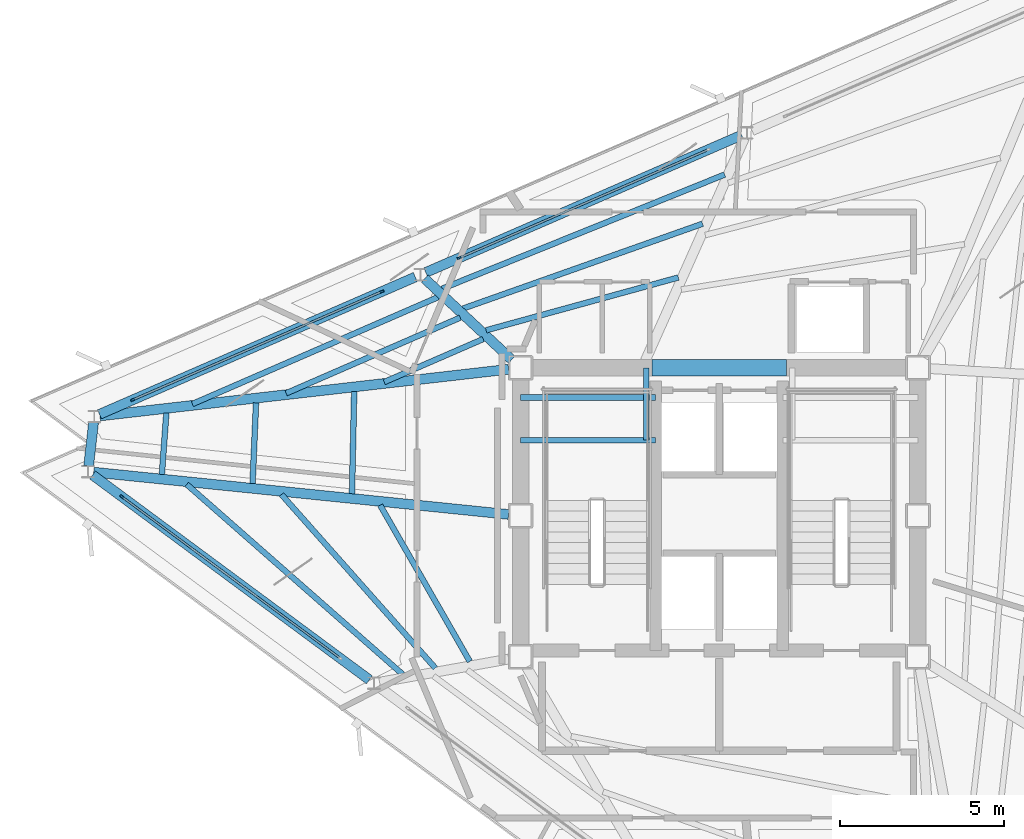
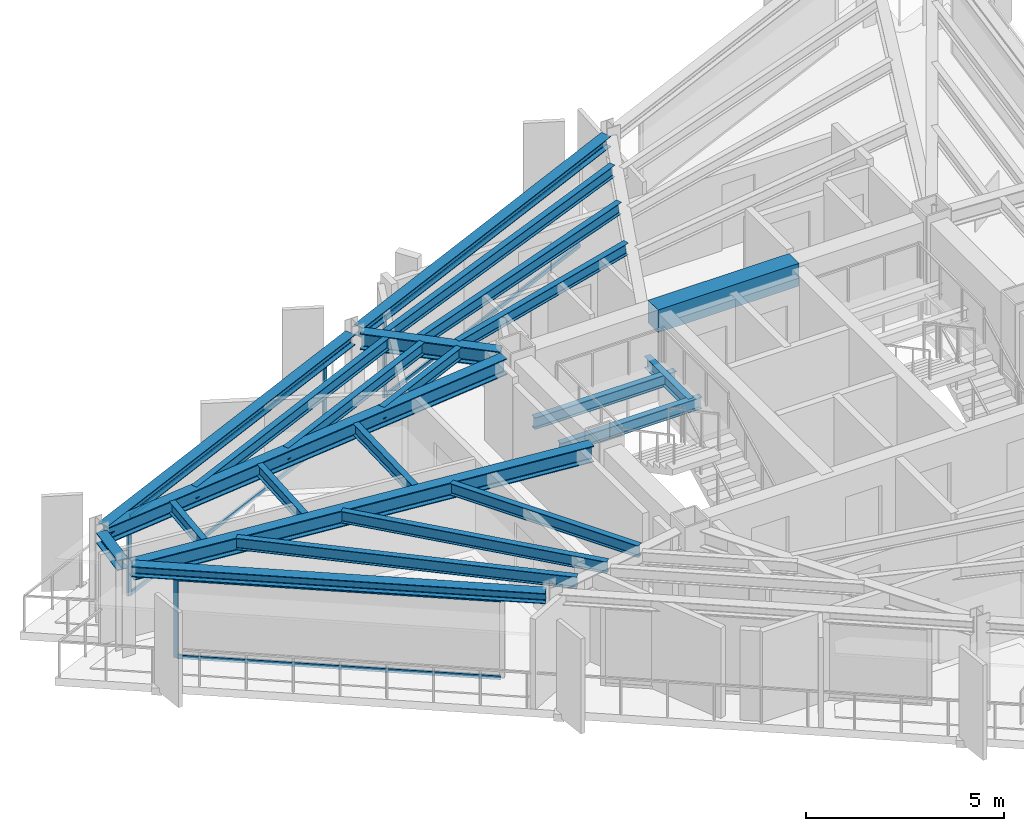
# One storey, part 3 of 10: 23 beams, 10 members, 3 elements without a shape of their own.
"""IFC4 building model written with IfcOpenShell, lengths in metres."""

from ifc_helpers import new_model, si_unit, direction, frame, origin, origin_2d, place, context, subcontext, project, spatial, rectangle, i_section, extrude, material, layer, layer_set, material_profile, profile_set, type_object, element, aggregate, save


model = new_model("IFC4")

# Units and contexts
model_context = context("Model", 3, precision=1e-05, world=origin(), true_north=direction((0.0, 1.0)))
body_context = subcontext(model_context, "Body", "Model", "MODEL_VIEW")
ifc_project = project(units=[si_unit("LENGTHUNIT", "METRE"), si_unit("AREAUNIT", "SQUARE_METRE"), si_unit("VOLUMEUNIT", "CUBIC_METRE"), si_unit("PLANEANGLEUNIT", "RADIAN"), si_unit("MASSUNIT", "GRAM", prefix="KILO")], contexts=[model_context])

# Site, building, storey
site_placement = place(None, origin())
site = spatial("IfcSite", under=ifc_project, at=site_placement, CompositionType="ELEMENT")
building_placement = place(site_placement, origin())
building = spatial("IfcBuilding", under=site, at=building_placement, Name="Rocaltana Carrier Exchange", CompositionType="ELEMENT")
storey_placement = place(building_placement, frame((0.0, 0.0, 227.0400390625)))
storey = spatial("IfcBuildingStorey", under=building, at=storey_placement, Name="L72", CompositionType="ELEMENT", Elevation=227.0400390625)

# Curtain wall, member
ifc_material_1 = material(Name="Aluminium 6063-T6", Category="aluminium")
ifc_layer = layer(ifc_material_1, 0.1201171875)
ifc_layer_set = layer_set([ifc_layer], Name="Aluminium 6063-T6")
curtain_wall_type = type_object("IfcCurtainWallType", Name="High-Altitude Thermal Curtain Wall CW-05", PredefinedType="NOTDEFINED", material=ifc_layer_set)
curtain_wall_1_placement = place(storey_placement, origin())
curtain_wall_1 = element("IfcCurtainWall", 1, at=curtain_wall_1_placement, inside=storey, type_object=curtain_wall_type, Name="L72 CW-05 Run CW-L72-F2S2", PredefinedType="NOTDEFINED")
ifc_material_2 = material(Name="Aluminium 6063-T6", Category="aluminium")
ifc_material_profile_1 = material_profile(ifc_material_2, rectangle(XDim=0.06005859375, YDim=0.1201171875, at=origin_2d()), Name="AL-60X120")
ifc_profile_set_1 = profile_set([ifc_material_profile_1], Name="Aluminium 6063-T6")
member_type_1 = type_object("IfcMemberType", Name="CW-05 Mullion AL-60X120", PredefinedType="MULLION", material=ifc_profile_set_1)
member_1_placement = place(storey_placement, frame((-7.922607421875, 7.846435546875, 0.0), z_axis=(0.0, 0.0, 1.0), x_axis=(0.398752438254, -0.917058609352, 0.0)))
member_1 = element("IfcMember", 2, at=member_1_placement, type_object=member_type_1, Name="CW-05 mullion 2", PredefinedType="MULLION", context=body_context, shape_type="SweptSolid", body=[
    extrude(rectangle(XDim=0.06005859375, YDim=0.1201171875, at=origin_2d()), origin(), (0.0, 0.0, 1.0), 2.447998046875),
])

# Curtain wall, members
curtain_wall_2_placement = place(storey_placement, origin())
curtain_wall_2 = element("IfcCurtainWall", 3, at=curtain_wall_2_placement, inside=storey, type_object=curtain_wall_type, Name="L72 CW-05 Run CW-L72-F2S3", PredefinedType="NOTDEFINED")
member_2_placement = place(storey_placement, frame((-10.270263671875, 6.82568359375, 0.0), z_axis=(0.0, 0.0, 1.0), x_axis=(0.39875682637, -0.917056701313, 0.0)))
member_2 = element("IfcMember", 4, at=member_2_placement, type_object=member_type_1, Name="CW-05 mullion 1", PredefinedType="MULLION", context=body_context, shape_type="SweptSolid", body=[
    extrude(rectangle(XDim=0.06005859375, YDim=0.1201171875, at=origin_2d()), origin(), (0.0, 0.0, 1.0), 2.447998046875),
])
member_3_placement = place(storey_placement, frame((-17.857421875, 3.526611328125, 0.0), z_axis=(0.0, 0.0, 1.0), x_axis=(0.39875682637, -0.917056701313, 0.0)))
member_3 = element("IfcMember", 5, at=member_3_placement, type_object=member_type_1, Name="CW-05 mullion 2", PredefinedType="MULLION", context=body_context, shape_type="SweptSolid", body=[
    extrude(rectangle(XDim=0.06005859375, YDim=0.1201171875, at=origin_2d()), origin(), (0.0, 0.0, 1.0), 2.447998046875),
])

# Curtain wall, member
curtain_wall_3_placement = place(storey_placement, origin())
curtain_wall_3 = element("IfcCurtainWall", 6, at=curtain_wall_3_placement, inside=storey, type_object=curtain_wall_type, Name="L72 CW-05 Run CW-L72-F3S1", PredefinedType="NOTDEFINED")
member_4_placement = place(storey_placement, frame((-18.19287109375, 0.580810546875, 0.0), z_axis=(0.0, 0.0, 1.0), x_axis=(0.594826566974, 0.803854063386, 0.0)))
member_4 = element("IfcMember", 7, at=member_4_placement, type_object=member_type_1, Name="CW-05 mullion 1", PredefinedType="MULLION", context=body_context, shape_type="SweptSolid", body=[
    extrude(rectangle(XDim=0.06005859375, YDim=0.1201171875, at=origin_2d()), origin(), (0.0, 0.0, 1.0), 2.447998046875),
])

# Member
ifc_material_3 = material(Name="Aluminium 6063-T6", Category="aluminium")
ifc_material_profile_2 = material_profile(ifc_material_3, rectangle(XDim=0.06005859375, YDim=0.1201171875, at=origin_2d()), Name="AL-60X120")
ifc_profile_set_2 = profile_set([ifc_material_profile_2], Name="Aluminium 6063-T6")
member_type_2 = type_object("IfcMemberType", Name="CW-05 Transom AL-60X120", PredefinedType="USERDEFINED", material=ifc_profile_set_2)
member_5_placement = place(storey_placement, frame((-0.36279296875, 11.133544921875, 0.030029296875), z_axis=(-0.917058241688, -0.398753283814, 0.0), x_axis=(0.398753283814, -0.917058241688, 0.0)))
member_5 = element("IfcMember", 8, at=member_5_placement, type_object=member_type_2, Name="CW-05 transom 1.1", ObjectType="TRANSOM", PredefinedType="USERDEFINED", context=body_context, shape_type="SweptSolid", body=[
    extrude(rectangle(XDim=0.06005859375, YDim=0.1201171875, at=origin_2d()), origin(), (0.0, 0.0, 1.0), 8.21337890625),
])

member_6_placement = place(storey_placement, frame((-0.36279296875, 11.133544921875, 2.41796875), z_axis=(-0.917058241688, -0.398753283814, 0.0), x_axis=(0.398753283814, -0.917058241688, 0.0)))
member_6 = element("IfcMember", 9, at=member_6_placement, type_object=member_type_2, Name="CW-05 transom 1.2", ObjectType="TRANSOM", PredefinedType="USERDEFINED", context=body_context, shape_type="SweptSolid", body=[
    extrude(rectangle(XDim=0.06005859375, YDim=0.1201171875, at=origin_2d()), origin(), (0.0, 0.0, 1.0), 8.21337890625),
])

aggregate(curtain_wall_1, [member_1, member_5, member_6])

member_7_placement = place(storey_placement, frame((-10.297607421875, 6.813720703125, 0.030029296875), z_axis=(-0.917058241688, -0.398753283814, 0.0), x_axis=(0.398753283814, -0.917058241688, 0.0)))
member_7 = element("IfcMember", 10, at=member_7_placement, type_object=member_type_2, Name="CW-05 transom 1.1", ObjectType="TRANSOM", PredefinedType="USERDEFINED", context=body_context, shape_type="SweptSolid", body=[
    extrude(rectangle(XDim=0.06005859375, YDim=0.1201171875, at=origin_2d()), origin(), (0.0, 0.0, 1.0), 8.21337890625),
])

member_8_placement = place(storey_placement, frame((-10.297607421875, 6.813720703125, 2.41796875), z_axis=(-0.917058241688, -0.398753283814, 0.0), x_axis=(0.398753283814, -0.917058241688, 0.0)))
member_8 = element("IfcMember", 11, at=member_8_placement, type_object=member_type_2, Name="CW-05 transom 1.2", ObjectType="TRANSOM", PredefinedType="USERDEFINED", context=body_context, shape_type="SweptSolid", body=[
    extrude(rectangle(XDim=0.06005859375, YDim=0.1201171875, at=origin_2d()), origin(), (0.0, 0.0, 1.0), 8.21337890625),
])

aggregate(curtain_wall_2, [member_2, member_3, member_7, member_8])

member_9_placement = place(storey_placement, frame((-18.1689453125, 0.56298828125, 0.030029296875), z_axis=(0.803853553959, -0.594827255418, 0.0), x_axis=(0.594827255418, 0.803853553959, 0.0)))
member_9 = element("IfcMember", 12, at=member_9_placement, type_object=member_type_2, Name="CW-05 transom 1.1", ObjectType="TRANSOM", PredefinedType="USERDEFINED", context=body_context, shape_type="SweptSolid", body=[
    extrude(rectangle(XDim=0.06005859375, YDim=0.1201171875, at=origin_2d()), origin(), (0.0, 0.0, 1.0), 8.21337890625),
])

member_10_placement = place(storey_placement, frame((-18.1689453125, 0.56298828125, 2.41796875), z_axis=(0.803853553959, -0.594827255418, 0.0), x_axis=(0.594827255418, 0.803853553959, 0.0)))
member_10 = element("IfcMember", 13, at=member_10_placement, type_object=member_type_2, Name="CW-05 transom 1.2", ObjectType="TRANSOM", PredefinedType="USERDEFINED", context=body_context, shape_type="SweptSolid", body=[
    extrude(rectangle(XDim=0.06005859375, YDim=0.1201171875, at=origin_2d()), origin(), (0.0, 0.0, 1.0), 8.21337890625),
])

aggregate(curtain_wall_3, [member_4, member_9, member_10])

# Beams
ifc_material_4 = material(Name="Concrete C60/75", Category="concrete")
ifc_material_profile_3 = material_profile(ifc_material_4, rectangle(XDim=0.5, YDim=0.699951171875, at=origin_2d()), Name="RC-BM-500X700")
ifc_profile_set_3 = profile_set([ifc_material_profile_3], Name="Concrete C60/75")
beam_type_1 = type_object("IfcBeamType", Name="Core Coupling Lintel 500x700", PredefinedType="LINTEL", material=ifc_profile_set_3)
beam_1_placement = place(storey_placement, frame((-2.050048828125, 4.5, 2.447998046875), z_axis=(1.0, 0.0, 0.0), x_axis=(0.0, 1.0, 0.0)))
element("IfcBeam", 14, at=beam_1_placement, inside=storey, type_object=beam_type_1, Name="L72 Core Coupling Lintel CL-N", PredefinedType="LINTEL", context=body_context, shape_type="SweptSolid", body=[
    extrude(rectangle(XDim=0.5, YDim=0.699951171875, at=origin_2d()), origin(), (0.0, 0.0, 1.0), 4.10009765625),
])
ifc_material_5 = material(Name="Steel S355", Category="steel")
ifc_material_profile_4 = material_profile(ifc_material_5, i_section(OverallWidth=0.172119140625, OverallDepth=0.35791015625, WebThickness=0.0078125, FlangeThickness=0.01318359375, FilletRadius=0.011962890625, at=origin_2d()), Name="W14X38")
ifc_profile_set_4 = profile_set([ifc_material_profile_4], Name="Steel S355")
beam_type_2 = type_object("IfcBeamType", Name="Floor Joist W14X38", PredefinedType="JOIST", material=ifc_profile_set_4)
for number, where, z_axis, x_axis, name in (
    (15, (-6.050048828125, 2.300048828125, 1.140869140625), (1.0, 0.0, 0.0), (0.0, 1.0, 0.0), "L72 ST-1 Landing Carrier 1"),
    (16, (-6.050048828125, 3.60009765625, 1.140869140625), (1.0, 0.0, 0.0), (0.0, 1.0, 0.0), "L72 ST-1 Landing Carrier 2"),
):
    element("IfcBeam", number, at=place(storey_placement, frame(where, z_axis=z_axis, x_axis=x_axis)), inside=storey, type_object=beam_type_2, Name=name, PredefinedType="JOIST", context=body_context, shape_type="SweptSolid", body=[
        extrude(i_section(OverallWidth=0.172119140625, OverallDepth=0.35791015625, WebThickness=0.0078125, FlangeThickness=0.01318359375, FilletRadius=0.011962890625, at=origin_2d()), origin(), (0.0, 0.0, 1.0), 4.110107421875),
    ])
beam_2_placement = place(storey_placement, frame((-2.219970703125, 2.300048828125, 1.140869140625), z_axis=(0.0, 1.0, 0.0), x_axis=(-1.0, 0.0, 0.0)))
element("IfcBeam", 17, at=beam_2_placement, inside=storey, type_object=beam_type_2, Name="L72 ST-1 Landing Cross Trimmer", PredefinedType="JOIST", context=body_context, shape_type="SweptSolid", body=[
    extrude(i_section(OverallWidth=0.172119140625, OverallDepth=0.35791015625, WebThickness=0.0078125, FlangeThickness=0.01318359375, FilletRadius=0.011962890625, at=origin_2d()), origin(), (0.0, 0.0, 1.0), 2.199951171875),
])
beam_3_placement = place(storey_placement, frame((-1.245361328125, 7.252685546875, 2.618896484375), z_axis=(-0.964263719162, -0.26494429586, 0.0), x_axis=(0.26494429586, -0.964263719162, 0.0)))
element("IfcBeam", 18, at=beam_3_placement, inside=storey, type_object=beam_type_2, Name="FJ-L72-06-1", PredefinedType="JOIST", context=body_context, shape_type="SweptSolid", body=[
    extrude(i_section(OverallWidth=0.172119140625, OverallDepth=0.35791015625, WebThickness=0.0078125, FlangeThickness=0.01318359375, FilletRadius=0.011962890625, at=origin_2d()), origin(), (0.0, 0.0, 1.0), 6.07080078125),
])
beam_4_placement = place(storey_placement, frame((-0.5087890625, 8.888427734375, 2.618896484375), z_axis=(-0.942681203014, -0.333694695019, 0.0), x_axis=(0.333694695019, -0.942681203014, 0.0)))
element("IfcBeam", 19, at=beam_4_placement, inside=storey, type_object=beam_type_2, Name="FJ-L72-06-2", PredefinedType="JOIST", context=body_context, shape_type="SweptSolid", body=[
    extrude(i_section(OverallWidth=0.172119140625, OverallDepth=0.35791015625, WebThickness=0.0078125, FlangeThickness=0.01318359375, FilletRadius=0.011962890625, at=origin_2d()), origin(), (0.0, 0.0, 1.0), 7.73779296875),
])
beam_5_placement = place(storey_placement, frame((0.162841796875, 10.385498046875, 2.618896484375), z_axis=(-0.927185285553, -0.374603051582, 0.0), x_axis=(0.374603051582, -0.927185285553, 0.0)))
element("IfcBeam", 20, at=beam_5_placement, inside=storey, type_object=beam_type_2, Name="FJ-L72-06-3", PredefinedType="JOIST", context=body_context, shape_type="SweptSolid", body=[
    extrude(i_section(OverallWidth=0.172119140625, OverallDepth=0.35791015625, WebThickness=0.0078125, FlangeThickness=0.01318359375, FilletRadius=0.011962890625, at=origin_2d()), origin(), (0.0, 0.0, 1.0), 9.283935546875),
])
beam_6_placement = place(storey_placement, frame((-7.1875, 5.37841796875, 2.618896484375), z_axis=(-0.917065332478, -0.398736975923, 0.0), x_axis=(0.398736975923, -0.917065332478, 0.0)))
element("IfcBeam", 21, at=beam_6_placement, inside=storey, type_object=beam_type_2, Name="FJ-L72-07-1", PredefinedType="JOIST", context=body_context, shape_type="SweptSolid", body=[
    extrude(i_section(OverallWidth=0.172119140625, OverallDepth=0.35791015625, WebThickness=0.0078125, FlangeThickness=0.01318359375, FilletRadius=0.011962890625, at=origin_2d()), origin(), (0.0, 0.0, 1.0), 3.286865234375),
])
beam_7_placement = place(storey_placement, frame((-7.887939453125, 6.03076171875, 2.618896484375), z_axis=(-0.917067369584, -0.398732290696, 0.0), x_axis=(0.398732290696, -0.917067369584, 0.0)))
element("IfcBeam", 22, at=beam_7_placement, inside=storey, type_object=beam_type_2, Name="FJ-L72-07-2", PredefinedType="JOIST", context=body_context, shape_type="SweptSolid", body=[
    extrude(i_section(OverallWidth=0.172119140625, OverallDepth=0.35791015625, WebThickness=0.0078125, FlangeThickness=0.01318359375, FilletRadius=0.011962890625, at=origin_2d()), origin(), (0.0, 0.0, 1.0), 5.77880859375),
])
beam_8_placement = place(storey_placement, frame((-8.55810546875, 6.65478515625, 2.618896484375), z_axis=(-0.917059118447, -0.398751267426, 0.0), x_axis=(0.398751267426, -0.917059118447, 0.0)))
element("IfcBeam", 23, at=beam_8_placement, inside=storey, type_object=beam_type_2, Name="FJ-L72-07-3", PredefinedType="JOIST", context=body_context, shape_type="SweptSolid", body=[
    extrude(i_section(OverallWidth=0.172119140625, OverallDepth=0.35791015625, WebThickness=0.0078125, FlangeThickness=0.01318359375, FilletRadius=0.011962890625, at=origin_2d()), origin(), (0.0, 0.0, 1.0), 8.162109375),
])
beam_9_placement = place(storey_placement, frame((-11.11572265625, 3.77734375, 2.618896484375), z_axis=(-0.021897715524, -0.999760216279, 0.0), x_axis=(0.999760216279, -0.021897715524, 0.0)))
element("IfcBeam", 24, at=beam_9_placement, inside=storey, type_object=beam_type_2, Name="FJ-L72-08-1", PredefinedType="JOIST", context=body_context, shape_type="SweptSolid", body=[
    extrude(i_section(OverallWidth=0.172119140625, OverallDepth=0.35791015625, WebThickness=0.0078125, FlangeThickness=0.01318359375, FilletRadius=0.011962890625, at=origin_2d()), origin(), (0.0, 0.0, 1.0), 3.110595703125),
])
beam_10_placement = place(storey_placement, frame((-14.1044921875, 3.436279296875, 2.618896484375), z_axis=(-0.04302848557, -0.999073845834, 0.0), x_axis=(0.999073845834, -0.04302848557, 0.0)))
element("IfcBeam", 25, at=beam_10_placement, inside=storey, type_object=beam_type_2, Name="FJ-L72-08-2", PredefinedType="JOIST", context=body_context, shape_type="SweptSolid", body=[
    extrude(i_section(OverallWidth=0.172119140625, OverallDepth=0.35791015625, WebThickness=0.0078125, FlangeThickness=0.01318359375, FilletRadius=0.011962890625, at=origin_2d()), origin(), (0.0, 0.0, 1.0), 2.46240234375),
])
beam_11_placement = place(storey_placement, frame((-16.8349609375, 3.124755859375, 2.618896484375), z_axis=(-0.07328566638, -0.997310990165, 0.0), x_axis=(0.997310990165, -0.07328566638, 0.0)))
element("IfcBeam", 26, at=beam_11_placement, inside=storey, type_object=beam_type_2, Name="FJ-L72-08-3", PredefinedType="JOIST", context=body_context, shape_type="SweptSolid", body=[
    extrude(i_section(OverallWidth=0.172119140625, OverallDepth=0.35791015625, WebThickness=0.0078125, FlangeThickness=0.01318359375, FilletRadius=0.011962890625, at=origin_2d()), origin(), (0.0, 0.0, 1.0), 1.872314453125),
])
beam_12_placement = place(storey_placement, frame((-10.3251953125, 0.318115234375, 2.618896484375), z_axis=(0.497781973969, -0.867302200153, 0.0), x_axis=(0.867302200153, 0.497781973969, 0.0)))
element("IfcBeam", 27, at=beam_12_placement, inside=storey, type_object=beam_type_2, Name="FJ-L72-09-1", PredefinedType="JOIST", context=body_context, shape_type="SweptSolid", body=[
    extrude(i_section(OverallWidth=0.172119140625, OverallDepth=0.35791015625, WebThickness=0.0078125, FlangeThickness=0.01318359375, FilletRadius=0.011962890625, at=origin_2d()), origin(), (0.0, 0.0, 1.0), 5.48583984375),
])
beam_13_placement = place(storey_placement, frame((-13.330810546875, 0.643798828125, 2.618896484375), z_axis=(0.663404294512, -0.748261145605, 0.0), x_axis=(0.748261145605, 0.663404294512, 0.0)))
element("IfcBeam", 28, at=beam_13_placement, inside=storey, type_object=beam_type_2, Name="FJ-L72-09-2", PredefinedType="JOIST", context=body_context, shape_type="SweptSolid", body=[
    extrude(i_section(OverallWidth=0.172119140625, OverallDepth=0.35791015625, WebThickness=0.0078125, FlangeThickness=0.01318359375, FilletRadius=0.011962890625, at=origin_2d()), origin(), (0.0, 0.0, 1.0), 7.063232421875),
])
beam_14_placement = place(storey_placement, frame((-16.2158203125, 0.951904296875, 2.618896484375), z_axis=(0.750985569643, -0.66031861566, 0.0), x_axis=(0.66031861566, 0.750985569643, 0.0)))
element("IfcBeam", 29, at=beam_14_placement, inside=storey, type_object=beam_type_2, Name="FJ-L72-09-3", PredefinedType="JOIST", context=body_context, shape_type="SweptSolid", body=[
    extrude(i_section(OverallWidth=0.172119140625, OverallDepth=0.35791015625, WebThickness=0.0078125, FlangeThickness=0.01318359375, FilletRadius=0.011962890625, at=origin_2d()), origin(), (0.0, 0.0, 1.0), 8.7568359375),
])
ifc_material_6 = material(Name="Steel S355", Category="steel")
ifc_material_profile_5 = material_profile(ifc_material_6, i_section(OverallWidth=0.300048828125, OverallDepth=0.320068359375, WebThickness=0.011474609375, FlangeThickness=0.0205078125, FilletRadius=0.027099609375, at=origin_2d()), Name="HEB320")
ifc_profile_set_5 = profile_set([ifc_material_profile_5], Name="Steel S355")
beam_type_3 = type_object("IfcBeamType", Name="Spandrel Edge Beam HEB320", PredefinedType="SPANDREL", material=ifc_profile_set_5)
beam_15_placement = place(storey_placement, frame((0.678955078125, 11.58642578125, 2.637939453125), z_axis=(-0.917064503536, -0.398738882421, 0.0), x_axis=(0.398738882421, -0.917064503536, 0.0)))
element("IfcBeam", 30, at=beam_15_placement, inside=storey, type_object=beam_type_3, Name="SP-L72-06", PredefinedType="SPANDREL", context=body_context, shape_type="SweptSolid", body=[
    extrude(i_section(OverallWidth=0.300048828125, OverallDepth=0.320068359375, WebThickness=0.011474609375, FlangeThickness=0.0205078125, FilletRadius=0.027099609375, at=origin_2d()), origin(), (0.0, 0.0, 1.0), 10.4853515625),
])
beam_16_placement = place(storey_placement, frame((-9.256103515625, 7.2666015625, 2.637939453125), z_axis=(-0.917060801428, -0.398747396838, 0.0), x_axis=(0.398747396838, -0.917060801428, 0.0)))
element("IfcBeam", 31, at=beam_16_placement, inside=storey, type_object=beam_type_3, Name="SP-L72-07", PredefinedType="SPANDREL", context=body_context, shape_type="SweptSolid", body=[
    extrude(i_section(OverallWidth=0.300048828125, OverallDepth=0.320068359375, WebThickness=0.011474609375, FlangeThickness=0.0205078125, FilletRadius=0.027099609375, at=origin_2d()), origin(), (0.0, 0.0, 1.0), 10.485107421875),
])
beam_17_placement = place(storey_placement, frame((-19.05078125, 2.84326171875, 2.637939453125), z_axis=(-0.113216978155, -0.993570287326, 0.0), x_axis=(0.993570287326, -0.113216978155, 0.0)))
element("IfcBeam", 32, at=beam_17_placement, inside=storey, type_object=beam_type_3, Name="SP-L72-08", PredefinedType="SPANDREL", context=body_context, shape_type="SweptSolid", body=[
    extrude(i_section(OverallWidth=0.300048828125, OverallDepth=0.320068359375, WebThickness=0.011474609375, FlangeThickness=0.0205078125, FilletRadius=0.027099609375, at=origin_2d()), origin(), (0.0, 0.0, 1.0), 1.3369140625),
])
beam_18_placement = place(storey_placement, frame((-19.08203125, 1.238525390625, 2.637939453125), z_axis=(0.80386149379, -0.594816525326, 0.0), x_axis=(0.594816525326, 0.80386149379, 0.0)))
element("IfcBeam", 33, at=beam_18_placement, inside=storey, type_object=beam_type_3, Name="SP-L72-09", PredefinedType="SPANDREL", context=body_context, shape_type="SweptSolid", body=[
    extrude(i_section(OverallWidth=0.300048828125, OverallDepth=0.320068359375, WebThickness=0.011474609375, FlangeThickness=0.0205078125, FilletRadius=0.027099609375, at=origin_2d()), origin(), (0.0, 0.0, 1.0), 10.4853515625),
])
ifc_material_7 = material(Name="Steel S355", Category="steel")
ifc_material_profile_6 = material_profile(ifc_material_7, i_section(OverallWidth=0.300048828125, OverallDepth=0.5, WebThickness=0.014404296875, FlangeThickness=0.028076171875, FilletRadius=0.027099609375, at=origin_2d()), Name="HEB500")
ifc_profile_set_6 = profile_set([ifc_material_profile_6], Name="Steel S355")
beam_type_4 = type_object("IfcBeamType", Name="Upper Radial Girder HEB500", PredefinedType="BEAM", material=ifc_profile_set_6)
beam_19_placement = place(storey_placement, frame((-6.318603515625, 4.75, 2.5478515625), z_axis=(-0.731938033682, 0.681371201952, 0.0), x_axis=(-0.681371201952, -0.731938033682, 0.0)))
element("IfcBeam", 34, at=beam_19_placement, inside=storey, type_object=beam_type_4, Name="RG-L72-07", PredefinedType="BEAM", context=body_context, shape_type="SweptSolid", body=[
    extrude(i_section(OverallWidth=0.300048828125, OverallDepth=0.5, WebThickness=0.014404296875, FlangeThickness=0.028076171875, FilletRadius=0.027099609375, at=origin_2d()), origin(), (0.0, 0.0, 1.0), 3.62109375),
])
beam_20_placement = place(storey_placement, frame((-6.41455078125, 4.458251953125, 2.5478515625), z_axis=(-0.993530787672, -0.113563083559, 0.0), x_axis=(0.113563083559, -0.993530787672, 0.0)))
element("IfcBeam", 35, at=beam_20_placement, inside=storey, type_object=beam_type_4, Name="RG-L72-08", PredefinedType="BEAM", context=body_context, shape_type="SweptSolid", body=[
    extrude(i_section(OverallWidth=0.300048828125, OverallDepth=0.5, WebThickness=0.014404296875, FlangeThickness=0.028076171875, FilletRadius=0.027099609375, at=origin_2d()), origin(), (0.0, 0.0, 1.0), 12.52490234375),
])
beam_21_placement = place(storey_placement, frame((-6.4150390625, 0.037109375, 2.5478515625), z_axis=(-0.994848515537, 0.101372733679, 0.0), x_axis=(-0.101372733679, -0.994848515537, 0.0)))
element("IfcBeam", 36, at=beam_21_placement, inside=storey, type_object=beam_type_4, Name="RG-L72-09", PredefinedType="BEAM", context=body_context, shape_type="SweptSolid", body=[
    extrude(i_section(OverallWidth=0.300048828125, OverallDepth=0.5, WebThickness=0.014404296875, FlangeThickness=0.028076171875, FilletRadius=0.027099609375, at=origin_2d()), origin(), (0.0, 0.0, 1.0), 12.69921875),
])

save(model, "model.ifc")
